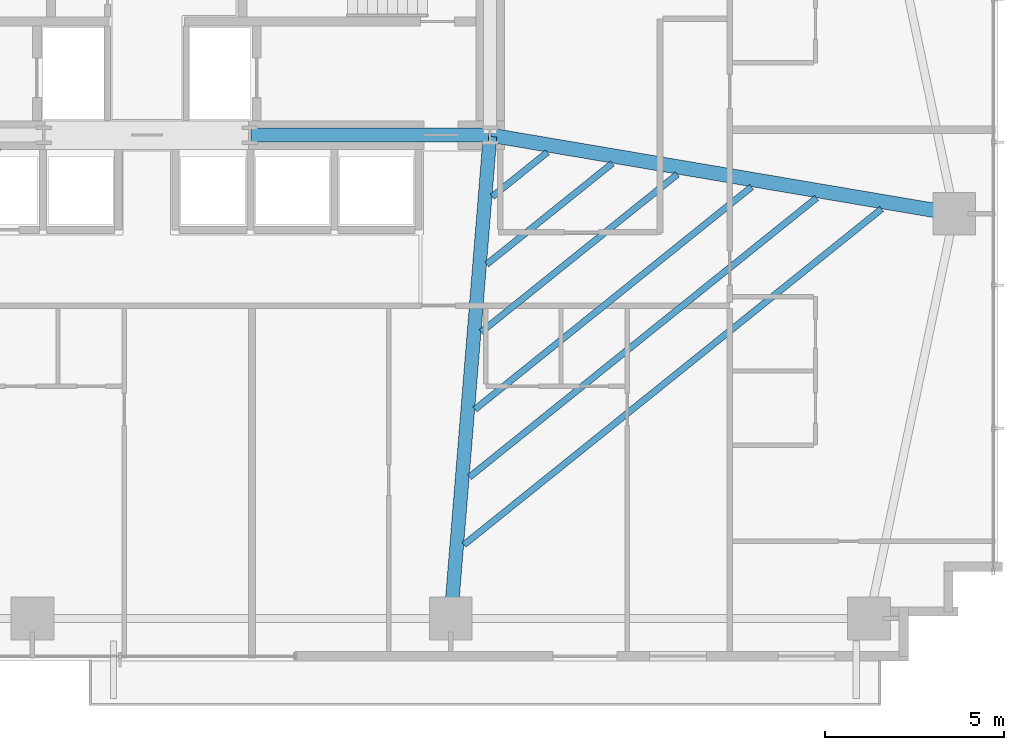
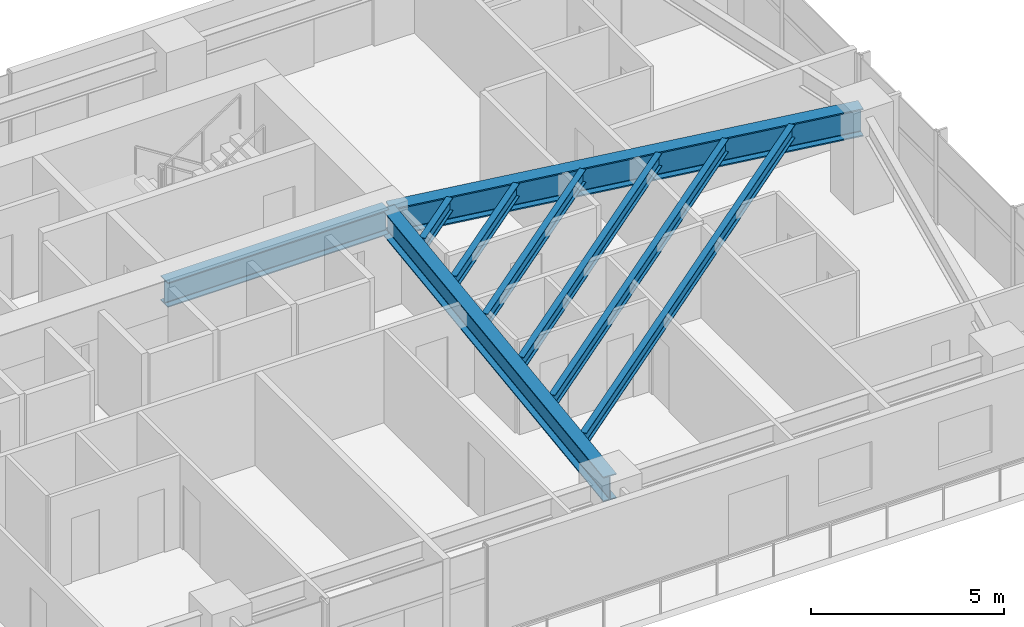
# One storey, part 13 of 25: 9 beams.
"""IFC4 building model written with IfcOpenShell, lengths in metres."""

from ifc_helpers import new_model, si_unit, direction, frame, origin, origin_2d, place, context, subcontext, project, spatial, i_section, extrude, source, transform, mapped, material, material_profile, profile_set, type_object, type_shapes, element, save


model = new_model("IFC4")

# Units and contexts
model_context = context("Model", 3, precision=1e-05, world=origin(), true_north=direction((0.0, 1.0)))
body_context = subcontext(model_context, "Body", "Model", "MODEL_VIEW")
ifc_project = project(units=[si_unit("LENGTHUNIT", "METRE"), si_unit("AREAUNIT", "SQUARE_METRE"), si_unit("VOLUMEUNIT", "CUBIC_METRE"), si_unit("PLANEANGLEUNIT", "RADIAN"), si_unit("MASSUNIT", "GRAM", prefix="KILO")], contexts=[model_context])

# Site, building, storey
site_placement = place(None, origin())
site = spatial("IfcSite", under=ifc_project, at=site_placement, CompositionType="ELEMENT")
building_placement = place(site_placement, origin())
building = spatial("IfcBuilding", under=site, at=building_placement, Name="Astriad Promenade Condominiums", CompositionType="ELEMENT")
storey_placement = place(building_placement, frame((0.0, 0.0, 48.60009765625)))
storey = spatial("IfcBuildingStorey", under=building, at=storey_placement, Name="L13", CompositionType="ELEMENT", Elevation=48.60009765625)

# Beams
ifc_material = material(Name="Steel ASTM A992 Grade 50", Category="steel")
ifc_material_profile_1 = material_profile(ifc_material, i_section(OverallWidth=0.3837890625, OverallDepth=0.785888671875, WebThickness=0.019775390625, FlangeThickness=0.033447265625, FilletRadius=0.021484375, at=origin_2d()), Name="W30X211")
ifc_profile_set_1 = profile_set([ifc_material_profile_1], Name="Steel ASTM A992 Grade 50")
beam_type_1 = type_object("IfcBeamType", Name="STEEL FLOOR GIRDER W30X211", PredefinedType="BEAM", material=ifc_profile_set_1)
shared_shape_1 = source(origin(), body_context, "Body", "SweptSolid", [
    extrude(i_section(OverallWidth=0.3837890625, OverallDepth=0.785888671875, WebThickness=0.019775390625, FlangeThickness=0.033447265625, FilletRadius=0.021484375, at=origin_2d()), origin(), (0.0, 0.0, 1.0), 6.64013671875),
])
beam_1_placement = place(storey_placement, frame((38.919921875, 17.39990234375, 2.547119140625), z_axis=(1.0, 0.0, 0.0), x_axis=(0.0, 1.0, 0.0)))
element("IfcBeam", 1, at=beam_1_placement, inside=storey, type_object=beam_type_1, Name="Core Ring Beam CG-S3-L13", PredefinedType="BEAM", context=body_context, shape_type="MappedRepresentation", body=[
    mapped(shared_shape_1, transform((0.0, 0.0, 0.0), scale=1.0)),
])
shared_shape_2 = source(origin(), body_context, "Body", "SweptSolid", [
    extrude(i_section(OverallWidth=0.3837890625, OverallDepth=0.785888671875, WebThickness=0.019775390625, FlangeThickness=0.033447265625, FilletRadius=0.021484375, at=origin_2d()), origin(), (0.0, 0.0, 1.0), 13.484619140625),
])
type_shapes(beam_type_1, [shared_shape_1, shared_shape_2])
beam_2_placement = place(storey_placement, frame((44.503173828125, 3.919921875, 2.547119140625), z_axis=(0.081092961134, 0.996706542396, 0.0), x_axis=(-0.996706542396, 0.081092961134, 0.0)))
element("IfcBeam", 2, at=beam_2_placement, inside=storey, type_object=beam_type_1, Name="Primary Floor Girder PG-E2-L13", PredefinedType="BEAM", context=body_context, shape_type="MappedRepresentation", body=[
    mapped(shared_shape_2, transform((0.0, 0.0, 0.0), scale=1.0)),
])
ifc_material_profile_2 = material_profile(ifc_material, i_section(OverallWidth=0.4013671875, OverallDepth=0.877197265625, WebThickness=0.022216796875, FlangeThickness=0.039794921875, FilletRadius=0.02294921875, at=origin_2d()), Name="W33X263")
ifc_profile_set_2 = profile_set([ifc_material_profile_2], Name="Steel ASTM A992 Grade 50")
beam_type_2 = type_object("IfcBeamType", Name="STEEL PRIMARY GIRDER W33X263", PredefinedType="BEAM", material=ifc_profile_set_2)
shared_shape_3 = source(origin(), body_context, "Body", "SweptSolid", [
    extrude(i_section(OverallWidth=0.4013671875, OverallDepth=0.877197265625, WebThickness=0.022216796875, FlangeThickness=0.039794921875, FilletRadius=0.02294921875, at=origin_2d()), origin(), (0.0, 0.0, 1.0), 13.085205078125),
])
type_shapes(beam_type_2, [shared_shape_3])
beam_3_placement = place(storey_placement, frame((58.54052734375, 15.206787109375, 2.501220703125), z_axis=(-0.985939912267, 0.167100237577, 0.0), x_axis=(-0.167100237577, -0.985939912267, 0.0)))
element("IfcBeam", 3, at=beam_3_placement, inside=storey, type_object=beam_type_2, Name="Primary Floor Girder PG-EM-L13", PredefinedType="BEAM", context=body_context, shape_type="MappedRepresentation", body=[
    mapped(shared_shape_3, transform((0.0, 0.0, 0.0), scale=1.0)),
])
ifc_material_profile_3 = material_profile(ifc_material, i_section(OverallWidth=0.180908203125, OverallDepth=0.417236328125, WebThickness=0.010986328125, FlangeThickness=0.018310546875, FilletRadius=0.013916015625, at=origin_2d()), Name="W16X57")
ifc_profile_set_3 = profile_set([ifc_material_profile_3], Name="Steel ASTM A992 Grade 50")
beam_type_3 = type_object("IfcBeamType", Name="STEEL FLOOR JOIST W16X57", PredefinedType="JOIST", material=ifc_profile_set_3)
shared_shape_4 = source(origin(), body_context, "Body", "SweptSolid", [
    extrude(i_section(OverallWidth=0.180908203125, OverallDepth=0.417236328125, WebThickness=0.010986328125, FlangeThickness=0.018310546875, FilletRadius=0.013916015625, at=origin_2d()), origin(), (0.0, 0.0, 1.0), 14.984375),
])
beam_4_placement = place(storey_placement, frame((44.867919921875, 5.944580078125, 2.731201171875), z_axis=(0.77934368876, 0.626596692291, 0.0), x_axis=(-0.626596692291, 0.77934368876, 0.0)))
element("IfcBeam", 4, at=beam_4_placement, inside=storey, type_object=beam_type_3, Name="Secondary Composite Floor Joist JE1-1-L13", PredefinedType="JOIST", context=body_context, shape_type="MappedRepresentation", body=[
    mapped(shared_shape_4, transform((0.0, 0.0, 0.0), scale=1.0)),
])
shared_shape_5 = source(origin(), body_context, "Body", "SweptSolid", [
    extrude(i_section(OverallWidth=0.180908203125, OverallDepth=0.417236328125, WebThickness=0.010986328125, FlangeThickness=0.018310546875, FilletRadius=0.013916015625, at=origin_2d()), origin(), (0.0, 0.0, 1.0), 12.455078125),
])
beam_5_placement = place(storey_placement, frame((45.021728515625, 7.83740234375, 2.731201171875), z_axis=(0.77935577594, 0.626581658292, 0.0), x_axis=(-0.626581658292, 0.77935577594, 0.0)))
element("IfcBeam", 5, at=beam_5_placement, inside=storey, type_object=beam_type_3, Name="Secondary Composite Floor Joist JE1-2-L13", PredefinedType="JOIST", context=body_context, shape_type="MappedRepresentation", body=[
    mapped(shared_shape_5, transform((0.0, 0.0, 0.0), scale=1.0)),
])
shared_shape_6 = source(origin(), body_context, "Body", "SweptSolid", [
    extrude(i_section(OverallWidth=0.180908203125, OverallDepth=0.417236328125, WebThickness=0.010986328125, FlangeThickness=0.018310546875, FilletRadius=0.013916015625, at=origin_2d()), origin(), (0.0, 0.0, 1.0), 9.926025390625),
])
beam_6_placement = place(storey_placement, frame((45.17578125, 9.730224609375, 2.731201171875), z_axis=(0.779352355084, 0.626585913203, 0.0), x_axis=(-0.626585913203, 0.779352355084, 0.0)))
element("IfcBeam", 6, at=beam_6_placement, inside=storey, type_object=beam_type_3, Name="Secondary Composite Floor Joist JE1-3-L13", PredefinedType="JOIST", context=body_context, shape_type="MappedRepresentation", body=[
    mapped(shared_shape_6, transform((0.0, 0.0, 0.0), scale=1.0)),
])
shared_shape_7 = source(origin(), body_context, "Body", "SweptSolid", [
    extrude(i_section(OverallWidth=0.180908203125, OverallDepth=0.417236328125, WebThickness=0.010986328125, FlangeThickness=0.018310546875, FilletRadius=0.013916015625, at=origin_2d()), origin(), (0.0, 0.0, 1.0), 7.03515625),
])
beam_7_placement = place(storey_placement, frame((45.351806640625, 11.8935546875, 2.731201171875), z_axis=(0.779349752639, 0.626589150131, 0.0), x_axis=(-0.626589150131, 0.779349752639, 0.0)))
element("IfcBeam", 7, at=beam_7_placement, inside=storey, type_object=beam_type_3, Name="Secondary Composite Floor Joist JE1-4-L13", PredefinedType="JOIST", context=body_context, shape_type="MappedRepresentation", body=[
    mapped(shared_shape_7, transform((0.0, 0.0, 0.0), scale=1.0)),
])
shared_shape_8 = source(origin(), body_context, "Body", "SweptSolid", [
    extrude(i_section(OverallWidth=0.180908203125, OverallDepth=0.417236328125, WebThickness=0.010986328125, FlangeThickness=0.018310546875, FilletRadius=0.013916015625, at=origin_2d()), origin(), (0.0, 0.0, 1.0), 4.505859375),
])
beam_8_placement = place(storey_placement, frame((45.505859375, 13.786376953125, 2.731201171875), z_axis=(0.779365294733, 0.626569818429, 0.0), x_axis=(-0.626569818429, 0.779365294733, 0.0)))
element("IfcBeam", 8, at=beam_8_placement, inside=storey, type_object=beam_type_3, Name="Secondary Composite Floor Joist JE1-5-L13", PredefinedType="JOIST", context=body_context, shape_type="MappedRepresentation", body=[
    mapped(shared_shape_8, transform((0.0, 0.0, 0.0), scale=1.0)),
])
shared_shape_9 = source(origin(), body_context, "Body", "SweptSolid", [
    extrude(i_section(OverallWidth=0.180908203125, OverallDepth=0.417236328125, WebThickness=0.010986328125, FlangeThickness=0.018310546875, FilletRadius=0.013916015625, at=origin_2d()), origin(), (0.0, 0.0, 1.0), 1.9765625),
])
type_shapes(beam_type_3, [shared_shape_4, shared_shape_5, shared_shape_6, shared_shape_7, shared_shape_8, shared_shape_9])
beam_9_placement = place(storey_placement, frame((45.659912109375, 15.67919921875, 2.731201171875), z_axis=(0.77936029648, 0.626576035506, 0.0), x_axis=(-0.626576035506, 0.77936029648, 0.0)))
element("IfcBeam", 9, at=beam_9_placement, inside=storey, type_object=beam_type_3, Name="Secondary Composite Floor Joist JE1-6-L13", PredefinedType="JOIST", context=body_context, shape_type="MappedRepresentation", body=[
    mapped(shared_shape_9, transform((0.0, 0.0, 0.0), scale=1.0)),
])

save(model, "model.ifc")
